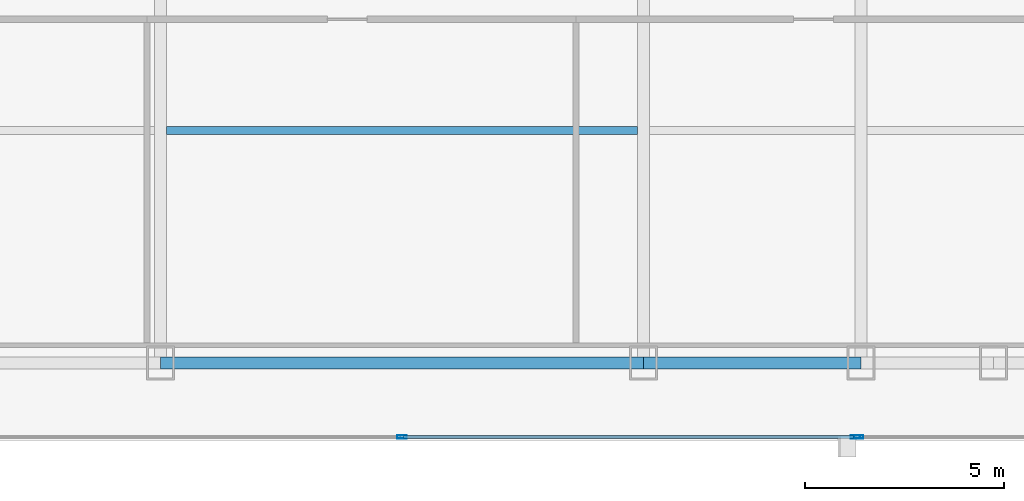
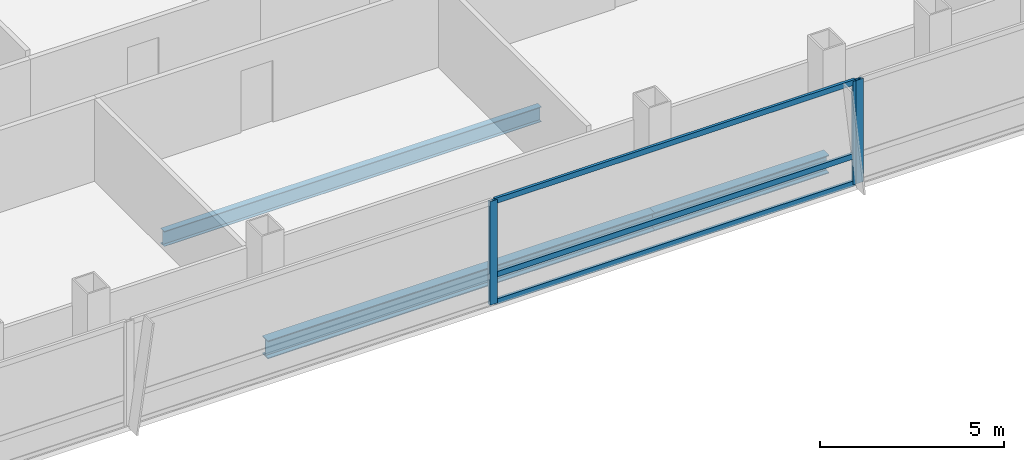
# One storey, part 13 of 29: 6 members, 3 beams, 2 elements without a shape of their own.
"""IFC4 building model written with IfcOpenShell, lengths in metres."""

from ifc_helpers import new_model, si_unit, direction, frame, origin, origin_2d, place, context, subcontext, project, spatial, hollow_rectangle, i_section, extrude, material, material_profile, profile_set, type_object, element, aggregate, save


model = new_model("IFC4")

# Units and contexts
model_context = context("Model", 3, precision=1e-05, world=origin(), true_north=direction((0.0, 1.0)))
body_context = subcontext(model_context, "Body", "Model", "MODEL_VIEW")
ifc_project = project(units=[si_unit("LENGTHUNIT", "METRE"), si_unit("AREAUNIT", "SQUARE_METRE"), si_unit("VOLUMEUNIT", "CUBIC_METRE"), si_unit("PLANEANGLEUNIT", "RADIAN"), si_unit("MASSUNIT", "GRAM", prefix="KILO")], contexts=[model_context])

# Site, building, storey
site_placement = place(None, origin())
site = spatial("IfcSite", under=ifc_project, at=site_placement, CompositionType="ELEMENT")
building_placement = place(site_placement, origin())
building = spatial("IfcBuilding", under=site, at=building_placement, Name="Khoronbel Lancet Exchange", CompositionType="ELEMENT")
storey_placement = place(building_placement, frame((0.0, 0.0, 150.60009765625)))
storey = spatial("IfcBuildingStorey", under=building, at=storey_placement, Name="L37", CompositionType="ELEMENT", Elevation=150.60009765625)

# Beams
ifc_material_1 = material(Name="Steel S355", Category="steel")
ifc_material_profile_1 = material_profile(ifc_material_1, i_section(OverallWidth=0.199951171875, OverallDepth=0.5, WebThickness=0.01025390625, FlangeThickness=0.01611328125, at=origin_2d()), Name="IPE 500")
ifc_profile_set_1 = profile_set([ifc_material_profile_1], Name="Steel S355")
beam_type_1 = type_object("IfcBeamType", Name="BM-BJ3", PredefinedType="JOIST", material=ifc_profile_set_1)
beam_1_placement = place(storey_placement, frame((30.52490234375, 16.0, -0.41015625), z_axis=(1.0, 0.0, 0.0), x_axis=(0.0, 1.0, 0.0)))
element("IfcBeam", 1, at=beam_1_placement, inside=storey, type_object=beam_type_1, Name="Level L37 secondary composite joist J03", PredefinedType="JOIST", context=body_context, shape_type="SweptSolid", body=[
    extrude(i_section(OverallWidth=0.199951171875, OverallDepth=0.5, WebThickness=0.01025390625, FlangeThickness=0.01611328125, at=origin_2d()), origin(), (0.0, 0.0, 1.0), 11.85009765625),
])
ifc_material_profile_2 = material_profile(ifc_material_1, i_section(OverallWidth=0.300048828125, OverallDepth=0.60009765625, WebThickness=0.015380859375, FlangeThickness=0.030029296875, at=origin_2d()), Name="HEB 600")
ifc_profile_set_2 = profile_set([ifc_material_profile_2], Name="Steel S355")
beam_type_2 = type_object("IfcBeamType", Name="BM-BSP2", PredefinedType="SPANDREL", material=ifc_profile_set_2)
beam_2_placement = place(storey_placement, frame((30.375, 10.14990234375, -0.460205078125), z_axis=(1.0, 0.0, 0.0), x_axis=(0.0, 1.0, 0.0)))
element("IfcBeam", 2, at=beam_2_placement, inside=storey, type_object=beam_type_2, Name="Level L37 perimeter spandrel beam SP05", PredefinedType="SPANDREL", context=body_context, shape_type="SweptSolid", body=[
    extrude(i_section(OverallWidth=0.300048828125, OverallDepth=0.60009765625, WebThickness=0.015380859375, FlangeThickness=0.030029296875, at=origin_2d()), origin(), (0.0, 0.0, 1.0), 12.14990234375),
])
beam_3_placement = place(storey_placement, frame((42.52490234375, 10.14990234375, -0.460205078125), z_axis=(1.0, 0.0, 0.0), x_axis=(0.0, 1.0, 0.0)))
element("IfcBeam", 3, at=beam_3_placement, inside=storey, type_object=beam_type_2, Name="Level L37 perimeter spandrel beam SP06", PredefinedType="SPANDREL", context=body_context, shape_type="SweptSolid", body=[
    extrude(i_section(OverallWidth=0.300048828125, OverallDepth=0.60009765625, WebThickness=0.015380859375, FlangeThickness=0.030029296875, at=origin_2d()), origin(), (0.0, 0.0, 1.0), 5.47509765625),
])

# Curtain wall, members
ifc_material_2 = material(Name="Low-E Solar Control Insulating Glass", Category="glass")
curtain_wall_type = type_object("IfcCurtainWallType", Name="CW-3", PredefinedType="NOTDEFINED", material=ifc_material_2)
curtain_wall_1_placement = place(storey_placement, origin())
curtain_wall_1 = element("IfcCurtainWall", 4, at=curtain_wall_1_placement, inside=storey, type_object=curtain_wall_type, Name="Unitised curtain wall CW-L37-SCV", PredefinedType="NOTDEFINED")
ifc_material_3 = material(Name="Bronze-Anodised Aluminium 6063-T6", Category="aluminium")
ifc_material_profile_3 = material_profile(ifc_material_3, hollow_rectangle(XDim=0.0849609375, YDim=0.239990234375, WallThickness=0.006103515625, at=origin_2d()), Name="ALU MULLION 85x240")
ifc_profile_set_3 = profile_set([ifc_material_profile_3], Name="Bronze-Anodised Aluminium 6063-T6")
member_type_1 = type_object("IfcMemberType", Name="MEM-CWM1", PredefinedType="MULLION", material=ifc_profile_set_3)
member_1_placement = place(storey_placement, frame((36.449951171875, 8.2900390625, 0.0), z_axis=(0.0, 0.0, 1.0), x_axis=(0.0, 1.0, 0.0)))
member_1 = element("IfcMember", 5, at=member_1_placement, type_object=member_type_1, Name="CW3 mullion 2", PredefinedType="MULLION", context=body_context, shape_type="SweptSolid", body=[
    extrude(hollow_rectangle(XDim=0.0849609375, YDim=0.239990234375, WallThickness=0.006103515625, at=origin_2d()), origin(), (0.0, 0.0, 1.0), 3.43994140625),
])
member_2_placement = place(storey_placement, frame((47.857421875, 8.2900390625, 0.0), z_axis=(0.0, 0.0, 1.0), x_axis=(0.0, 1.0, 0.0)))
member_2 = element("IfcMember", 6, at=member_2_placement, type_object=member_type_1, Name="CW3 mullion 3", PredefinedType="MULLION", context=body_context, shape_type="SweptSolid", body=[
    extrude(hollow_rectangle(XDim=0.0849609375, YDim=0.239990234375, WallThickness=0.006103515625, at=origin_2d()), origin(), (0.0, 0.0, 1.0), 3.43994140625),
])

# Curtain wall, member
curtain_wall_2_placement = place(storey_placement, origin())
curtain_wall_2 = element("IfcCurtainWall", 7, at=curtain_wall_2_placement, inside=storey, type_object=curtain_wall_type, Name="Unitised curtain wall CW-L37-SEB", PredefinedType="NOTDEFINED")
member_3_placement = place(storey_placement, frame((47.9423828125, 8.2900390625, 0.0), z_axis=(0.0, 0.0, 1.0), x_axis=(0.0, 1.0, 0.0)))
member_3 = element("IfcMember", 8, at=member_3_placement, type_object=member_type_1, Name="CW3 mullion 1", PredefinedType="MULLION", context=body_context, shape_type="SweptSolid", body=[
    extrude(hollow_rectangle(XDim=0.0849609375, YDim=0.239990234375, WallThickness=0.006103515625, at=origin_2d()), origin(), (0.0, 0.0, 1.0), 3.43994140625),
])
aggregate(curtain_wall_2, [member_3])

# Member
ifc_material_profile_4 = material_profile(ifc_material_3, hollow_rectangle(XDim=0.0849609375, YDim=0.179931640625, WallThickness=0.0048828125, at=origin_2d()), Name="ALU TRANSOM 85x180")
ifc_profile_set_4 = profile_set([ifc_material_profile_4], Name="Bronze-Anodised Aluminium 6063-T6")
member_type_2 = type_object("IfcMemberType", Name="MEM-CWT1", PredefinedType="USERDEFINED", material=ifc_profile_set_4)
member_4_placement = place(storey_placement, frame((36.492431640625, 8.2900390625, 0.04248046875), z_axis=(1.0, 0.0, 0.0), x_axis=(0.0, 1.0, 0.0)))
member_4 = element("IfcMember", 9, at=member_4_placement, type_object=member_type_2, Name="CW3 transom 2.1", ObjectType="TRANSOM", PredefinedType="USERDEFINED", context=body_context, shape_type="SweptSolid", body=[
    extrude(hollow_rectangle(XDim=0.0849609375, YDim=0.179931640625, WallThickness=0.0048828125, at=origin_2d()), origin(), (0.0, 0.0, 1.0), 11.322509765625),
])

member_5_placement = place(storey_placement, frame((36.492431640625, 8.2900390625, 0.949951171875), z_axis=(1.0, 0.0, 0.0), x_axis=(0.0, 1.0, 0.0)))
member_5 = element("IfcMember", 10, at=member_5_placement, type_object=member_type_2, Name="CW3 transom 2.2", ObjectType="TRANSOM", PredefinedType="USERDEFINED", context=body_context, shape_type="SweptSolid", body=[
    extrude(hollow_rectangle(XDim=0.0849609375, YDim=0.179931640625, WallThickness=0.0048828125, at=origin_2d()), origin(), (0.0, 0.0, 1.0), 11.322509765625),
])

member_6_placement = place(storey_placement, frame((36.492431640625, 8.2900390625, 3.3974609375), z_axis=(1.0, 0.0, 0.0), x_axis=(0.0, 1.0, 0.0)))
member_6 = element("IfcMember", 11, at=member_6_placement, type_object=member_type_2, Name="CW3 transom 2.3", ObjectType="TRANSOM", PredefinedType="USERDEFINED", context=body_context, shape_type="SweptSolid", body=[
    extrude(hollow_rectangle(XDim=0.0849609375, YDim=0.179931640625, WallThickness=0.0048828125, at=origin_2d()), origin(), (0.0, 0.0, 1.0), 11.322509765625),
])

aggregate(curtain_wall_1, [member_1, member_2, member_4, member_5, member_6])

save(model, "model.ifc")
